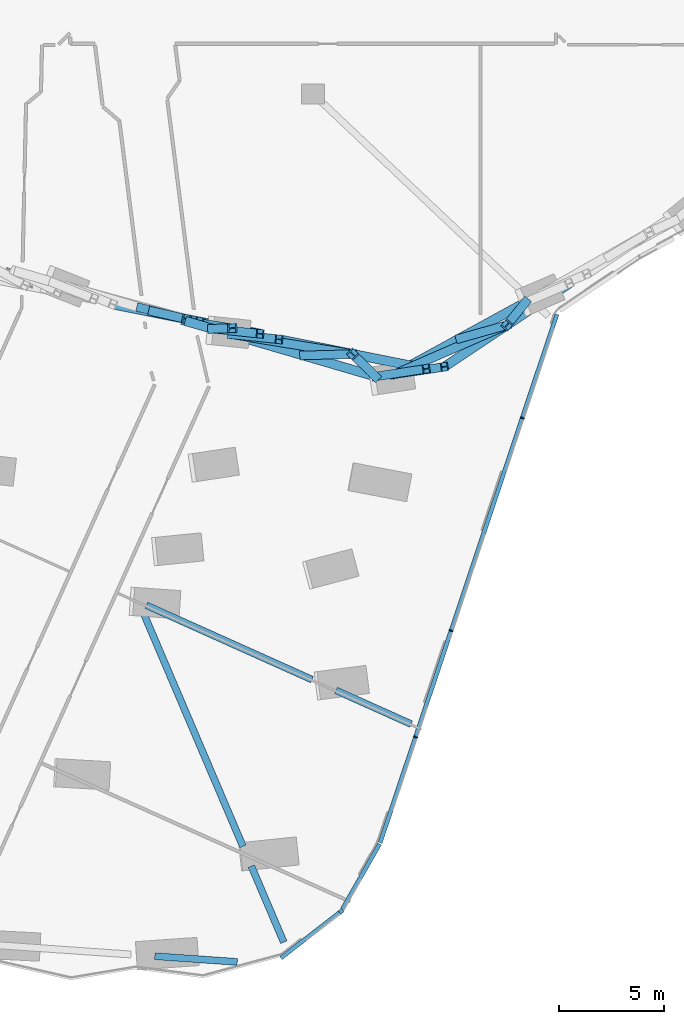
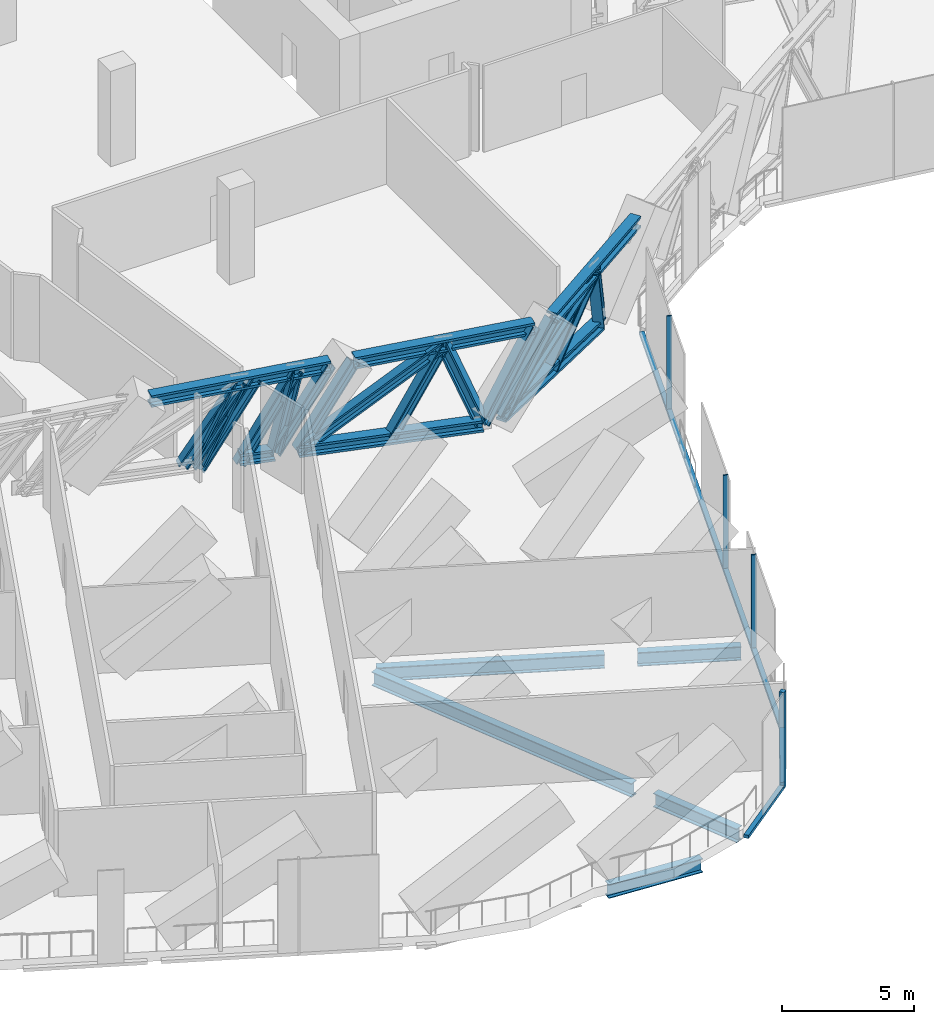
# One storey, part 5 of 39: 28 members, 5 beams, 3 elements without a shape of their own.
"""IFC4 building model written with IfcOpenShell, lengths in metres."""

import ifcopenshell
import ifcopenshell.guid

model = None  # the IFC model being written
_history = None  # IfcOwnerHistory: only IFC2X3 demands one
_inside = {}  # id of a spatial element -> (the spatial element, [elements in it])
_under = {}  # id of a project, library or spatial element -> (it, [spatial elements below it])
_declared = {}  # id of a project -> (the project, [libraries it declares])
_typed = {}  # id of a type object -> (the type object, [elements of that type])
_made_of = {}  # id of a material, layer set ... -> (it, [elements and type objects made of it])


def new_model(schema):
    """Start an empty IFC model of exactly this schema.

    Asked for "IFC4X3", IfcOpenShell would pick the latest addendum, in which some entities
    have other attributes; the version numbers below select the first issue.
    IFC2X3 requires an IfcOwnerHistory on every rooted entity: one is made here for all.
    """
    global model, _history
    if schema == "IFC4X3":
        model = ifcopenshell.file(schema_version=(4, 3, 0, 0))
    else:
        model = ifcopenshell.file(schema=schema)
    _inside.clear()
    _under.clear()
    _declared.clear()
    _typed.clear()
    _made_of.clear()
    _history = None
    if model.schema == "IFC2X3":
        org = make("IfcOrganization", Name="unknown")
        user = make(
            "IfcPersonAndOrganization",
            ThePerson=make("IfcPerson", FamilyName="unknown"),
            TheOrganization=org,
        )
        app = make(
            "IfcApplication",
            ApplicationDeveloper=org,
            Version="unknown",
            ApplicationFullName="unknown",
            ApplicationIdentifier="unknown",
        )
        _history = make(
            "IfcOwnerHistory",
            OwningUser=user,
            OwningApplication=app,
            ChangeAction="ADDED",
            CreationDate=0,
        )
    return model


def make(cls, **values):
    """One entity of the class cls with the attributes given. An attribute that is None is left unset."""
    return model.create_entity(
        cls, **{name: value for name, value in values.items() if value is not None}
    )


def rooted(cls, **values):
    """An entity with a GlobalId (a new one), such as an element, a storey or a relation."""
    return make(cls, GlobalId=ifcopenshell.guid.new(), OwnerHistory=_history, **values)


def si_unit(unit_type, name, prefix=None):
    """IfcSIUnit, for example si_unit("LENGTHUNIT", "METRE", prefix="MILLI")."""
    return make("IfcSIUnit", UnitType=unit_type, Prefix=prefix, Name=name)


def assignment(units):
    """IfcUnitAssignment: the units of a project."""
    return None if units is None else make("IfcUnitAssignment", Units=units)


def point(xyz):
    """IfcCartesianPoint."""
    return None if xyz is None else make("IfcCartesianPoint", Coordinates=xyz)


def direction(xyz):
    """IfcDirection."""
    return None if xyz is None else make("IfcDirection", DirectionRatios=xyz)


def frame(location, z_axis=None, x_axis=None):
    """IfcAxis2Placement3D, a coordinate frame: its origin and axes. An axis left out is left unset."""
    return make(
        "IfcAxis2Placement3D",
        Location=point(location),
        Axis=direction(z_axis),
        RefDirection=direction(x_axis),
    )


def frame_2d(location, x_axis=None):
    """IfcAxis2Placement2D, a coordinate frame in the plane: its origin and x axis."""
    return make(
        "IfcAxis2Placement2D", Location=point(location), RefDirection=direction(x_axis)
    )


def origin():
    """The frame at (0, 0, 0) with its axes left unset."""
    return frame((0.0, 0.0, 0.0))


def origin_2d():
    """The frame at (0, 0) in the plane with its x axis left unset."""
    return frame_2d((0.0, 0.0))


def place(relative_to, where):
    """IfcLocalPlacement: puts the frame where relative to a parent placement (None: the world)."""
    return make(
        "IfcLocalPlacement", PlacementRelTo=relative_to, RelativePlacement=where
    )


def context(
    kind, dimensions, precision=None, world=None, true_north=None, identifier=None
):
    """IfcGeometricRepresentationContext, for example the 3D "Model" context."""
    return make(
        "IfcGeometricRepresentationContext",
        ContextIdentifier=identifier,
        ContextType=kind,
        CoordinateSpaceDimension=dimensions,
        Precision=precision,
        WorldCoordinateSystem=world,
        TrueNorth=true_north,
    )


def subcontext(parent, identifier, kind, view, scale=None):
    """IfcGeometricRepresentationSubContext, for example "Body" below "Model"."""
    return make(
        "IfcGeometricRepresentationSubContext",
        ContextIdentifier=identifier,
        ContextType=kind,
        ParentContext=parent,
        TargetScale=scale,
        TargetView=view,
    )


def project(units=None, contexts=None):
    """IfcProject with its units and contexts."""
    return rooted(
        "IfcProject",
        Name="project",
        RepresentationContexts=contexts,
        UnitsInContext=assignment(units),
    )


def spatial(cls, under=None, at=None, **own):
    """A site, building, storey or space (cls), placed at a placement, below another one or the project."""
    s = rooted(cls, ObjectPlacement=at, **own)
    if under is not None:
        _under.setdefault(under.id(), (under, []))[1].append(s)
    return s


def profile(cls, at=None, kind="AREA", **sizes):
    """A parametric profile (cls). Its sizes go by their IFC names, for example OverallWidth=200.0."""
    return make(cls, ProfileType=kind, Position=at, **sizes)


def rectangle(**sizes):
    """IfcRectangleProfileDef."""
    return profile("IfcRectangleProfileDef", **sizes)


def i_section(**sizes):
    """IfcIShapeProfileDef."""
    return profile("IfcIShapeProfileDef", **sizes)


def extrude(swept, where, along, depth):
    """IfcExtrudedAreaSolid: the profile swept, set in the frame where, extruded along a direction by depth."""
    return make(
        "IfcExtrudedAreaSolid",
        SweptArea=swept,
        Position=where,
        ExtrudedDirection=direction(along),
        Depth=depth,
    )


def shape(context_of_items, identifier, shape_type, items):
    """IfcShapeRepresentation: the items that make up one representation, for example the "Body"."""
    return make(
        "IfcShapeRepresentation",
        ContextOfItems=context_of_items,
        RepresentationIdentifier=identifier,
        RepresentationType=shape_type,
        Items=items,
    )


def material(Name=None, Category=None):
    """IfcMaterial."""
    return make("IfcMaterial", Name=Name, Category=Category)


def material_profile(
    of_material, cross_section, Name=None, Category=None, Priority=None
):
    """IfcMaterialProfile: a cross section and its material."""
    return make(
        "IfcMaterialProfile",
        Name=Name,
        Material=of_material,
        Profile=cross_section,
        Priority=Priority,
        Category=Category,
    )


def profile_set(profiles, Name=None, composite=None):
    """IfcMaterialProfileSet."""
    return make(
        "IfcMaterialProfileSet",
        Name=Name,
        MaterialProfiles=profiles,
        CompositeProfile=composite,
    )


def made_of(thing, what):
    """Note that an element or type object is made of a material, layer set ...; save() writes the relation."""
    if what is not None:
        _made_of.setdefault(what.id(), (what, []))[1].append(thing)
    return thing


def type_object(cls, material=None, **own):
    """A type object (cls), such as IfcWallType, which elements share."""
    return made_of(rooted(cls, **own), material)


def element(
    cls,
    number,
    at=None,
    inside=None,
    cuts=None,
    type_object=None,
    material=None,
    context=None,
    identifier="Body",
    shape_type=None,
    held_by="IfcProductDefinitionShape",
    body=None,
    shapes=None,
    **own,
):
    """One element of the class cls, such as IfcWall. Its Tag is "e" and its number.

    at: its placement. inside: the storey or other place that contains it. cuts: it is an
    opening in that element (IfcRelVoidsElement). A single representation is given by context,
    identifier, shape_type and body (its items); several are given by shapes. held_by: the class
    of the entity that holds the representations. save() writes the other relations.
    """
    e = rooted(cls, Tag="e%d" % number, ObjectPlacement=at, **own)
    if body is not None:
        shapes = [shape(context, identifier, shape_type, body)]
    if shapes is not None:
        e.Representation = make(held_by, Representations=shapes)
    if inside is not None:
        _inside.setdefault(inside.id(), (inside, []))[1].append(e)
    if cuts is not None:
        rooted(
            "IfcRelVoidsElement", RelatingBuildingElement=cuts, RelatedOpeningElement=e
        )
    if type_object is not None:
        _typed.setdefault(type_object.id(), (type_object, []))[1].append(e)
    return made_of(e, material)


def aggregate(whole, parts):
    """IfcRelAggregates: a whole, such as a stair, and the parts it consists of."""
    return rooted("IfcRelAggregates", RelatingObject=whole, RelatedObjects=parts)


def save(model, path):
    """Write the relations noted so far, then the file.

    IfcRelAggregates (storeys below a building ...), IfcRelContainedInSpatialStructure (elements
    in a storey), IfcRelDefinesByType, IfcRelAssociatesMaterial and IfcRelDeclares: one each for
    every whole, place, type object, material and project.
    """
    for whole, parts in _under.values():
        aggregate(whole, parts)
    for where, things in _inside.values():
        rooted(
            "IfcRelContainedInSpatialStructure",
            RelatedElements=things,
            RelatingStructure=where,
        )
    for kind, things in _typed.values():
        rooted("IfcRelDefinesByType", RelatedObjects=things, RelatingType=kind)
    for what, things in _made_of.values():
        rooted("IfcRelAssociatesMaterial", RelatedObjects=things, RelatingMaterial=what)
    for by, libraries in _declared.values():
        rooted("IfcRelDeclares", RelatingContext=by, RelatedDefinitions=libraries)
    model.write(path)


model = new_model("IFC4")

# Units and contexts
model_context = context("Model", 3, precision=1e-05, world=origin(), true_north=direction((0.0, 1.0)))
body_context = subcontext(model_context, "Body", "Model", "MODEL_VIEW")
ifc_project = project(units=[si_unit("LENGTHUNIT", "METRE"), si_unit("AREAUNIT", "SQUARE_METRE"), si_unit("VOLUMEUNIT", "CUBIC_METRE"), si_unit("PLANEANGLEUNIT", "RADIAN"), si_unit("MASSUNIT", "GRAM", prefix="KILO")], contexts=[model_context])

# Site, building, storey
site_placement = place(None, origin())
site = spatial("IfcSite", under=ifc_project, at=site_placement, CompositionType="ELEMENT")
building_placement = place(site_placement, origin())
building = spatial("IfcBuilding", under=site, at=building_placement, Name="Orlundy Tower", CompositionType="ELEMENT")
storey_placement = place(building_placement, frame((0.0, 0.0, 141.199951171875)))
storey = spatial("IfcBuildingStorey", under=building, at=storey_placement, Name="L36", CompositionType="ELEMENT", Elevation=141.199951171875)

# Members
ifc_material_1 = material(Name="Steel ASTM A992 Gr 50", Category="steel")
ifc_material_profile_1 = material_profile(ifc_material_1, i_section(OverallWidth=0.4423828125, OverallDepth=0.531494140625, WebThickness=0.06591796875, FlangeThickness=0.105712890625, at=origin_2d()), Name="W14X605")
ifc_profile_set_1 = profile_set([ifc_material_profile_1], Name="Steel ASTM A992 Gr 50")
member_type_1 = type_object("IfcMemberType", Name="BELT TRUSS chord W14X605", PredefinedType="CHORD", material=ifc_profile_set_1)
member_1_placement = place(storey_placement, frame((-6.111572265625, -28.8349609375, 0.28466796875), z_axis=(0.959844868813, -0.280531331252, 0.0), x_axis=(0.280531331252, 0.959844868813, 0.0)))
element("IfcMember", 1, at=member_1_placement, inside=storey, type_object=member_type_1, Name="Belt truss bottom chord BT-052", PredefinedType="CHORD", context=body_context, shape_type="SweptSolid", body=[
    extrude(i_section(OverallWidth=0.4423828125, OverallDepth=0.531494140625, WebThickness=0.06591796875, FlangeThickness=0.105712890625, at=origin_2d()), origin(), (0.0, 0.0, 1.0), 1.3583984375),
])
member_2_placement = place(storey_placement, frame((-9.56494140625, -28.048828125, 3.71533203125), z_axis=(0.980618630054, -0.195926267739, 0.0), x_axis=(0.195926267739, 0.980618630054, 0.0)))
element("IfcMember", 2, at=member_2_placement, inside=storey, type_object=member_type_1, Name="Belt truss top chord BT-05", PredefinedType="CHORD", context=body_context, shape_type="SweptSolid", body=[
    extrude(i_section(OverallWidth=0.4423828125, OverallDepth=0.531494140625, WebThickness=0.06591796875, FlangeThickness=0.105712890625, at=origin_2d()), origin(), (0.0, 0.0, 1.0), 7.171142578125),
])
member_3_placement = place(storey_placement, frame((-3.900634765625, -29.4814453125, 0.28466796875), z_axis=(0.959780826264, -0.280750361595, 0.0), x_axis=(0.280750361595, 0.959780826264, 0.0)))
element("IfcMember", 3, at=member_3_placement, inside=storey, type_object=member_type_1, Name="Belt truss bottom chord BT-06", PredefinedType="CHORD", context=body_context, shape_type="SweptSolid", body=[
    extrude(i_section(OverallWidth=0.4423828125, OverallDepth=0.531494140625, WebThickness=0.06591796875, FlangeThickness=0.105712890625, at=origin_2d()), origin(), (0.0, 0.0, 1.0), 7.170654296875),
])
member_4_placement = place(storey_placement, frame((-1.62548828125, -29.71923828125, 3.71533203125), z_axis=(0.980617323118, -0.195932808893, 0.0), x_axis=(0.195932808893, 0.980617323118, 0.0)))
element("IfcMember", 4, at=member_4_placement, inside=storey, type_object=member_type_1, Name="Belt truss top chord BT-06", PredefinedType="CHORD", context=body_context, shape_type="SweptSolid", body=[
    extrude(i_section(OverallWidth=0.4423828125, OverallDepth=0.531494140625, WebThickness=0.06591796875, FlangeThickness=0.105712890625, at=origin_2d()), origin(), (0.0, 0.0, 1.0), 7.1708984375),
])
for number, where, z_axis, x_axis, name in (
    (5, (3.849609375, -31.400390625, 0.28466796875), (0.87710207265, 0.480304022628, 0.0), (-0.480304022628, 0.87710207265, 0.0), "Belt truss bottom chord BT-07"),
    (6, (6.2744140625, -31.030029296875, 3.71533203125), (0.832008393015, 0.554763043067, 0.0), (-0.554763043067, 0.832008393015, 0.0), "Belt truss top chord BT-07"),
):
    element("IfcMember", number, at=place(storey_placement, frame(where, z_axis=z_axis, x_axis=x_axis)), inside=storey, type_object=member_type_1, Name=name, PredefinedType="CHORD", context=body_context, shape_type="SweptSolid", body=[
        extrude(i_section(OverallWidth=0.4423828125, OverallDepth=0.531494140625, WebThickness=0.06591796875, FlangeThickness=0.105712890625, at=origin_2d()), origin(), (0.0, 0.0, 1.0), 7.171630859375),
    ])
ifc_material_2 = material(Name="Steel ASTM A992 Gr 50", Category="steel")
ifc_material_profile_2 = material_profile(ifc_material_2, i_section(OverallWidth=0.42431640625, OverallDepth=0.47412109375, WebThickness=0.0478515625, FlangeThickness=0.0771484375, at=origin_2d()), Name="W14X426")
ifc_profile_set_2 = profile_set([ifc_material_profile_2], Name="Steel ASTM A992 Gr 50")
member_type_2 = type_object("IfcMemberType", Name="BELT TRUSS diagonal W14X426", PredefinedType="BRACE", material=ifc_profile_set_2)
member_5_placement = place(storey_placement, frame((-6.048828125, -28.75146484375, 3.71533203125), z_axis=(-0.420368469079, 0.096119077167, -0.90224801092), x_axis=(-0.222901618307, -0.97484094526, 0.0)))
element("IfcMember", 7, at=member_5_placement, inside=storey, type_object=member_type_2, Name="Belt truss diagonal BT-05-1", PredefinedType="BRACE", context=body_context, shape_type="SweptSolid", body=[
    extrude(i_section(OverallWidth=0.42431640625, OverallDepth=0.47412109375, WebThickness=0.0478515625, FlangeThickness=0.0771484375, at=origin_2d()), origin(), (0.0, 0.0, 1.0), 3.80224609375),
])
member_6_placement = place(storey_placement, frame((-3.86474609375, -29.187744140625, 3.71533203125), z_axis=(-0.265001355647, -0.00795964714, -0.964215186316), x_axis=(0.030022710811, -0.999549216815, 0.0)))
element("IfcMember", 8, at=member_6_placement, inside=storey, type_object=member_type_2, Name="Belt truss diagonal BT-05-3", PredefinedType="BRACE", context=body_context, shape_type="SweptSolid", body=[
    extrude(i_section(OverallWidth=0.42431640625, OverallDepth=0.47412109375, WebThickness=0.0478515625, FlangeThickness=0.0771484375, at=origin_2d()), origin(), (0.0, 0.0, 1.0), 3.55810546875),
])
member_7_placement = place(storey_placement, frame((-3.900634765625, -29.4814453125, 0.28466796875), z_axis=(0.852087516657, -0.138338491848, 0.504786415854), x_axis=(0.160254167009, 0.987075783289, 0.0)))
element("IfcMember", 9, at=member_7_placement, inside=storey, type_object=member_type_2, Name="Belt truss diagonal BT-06-0", PredefinedType="BRACE", context=body_context, shape_type="SweptSolid", body=[
    extrude(i_section(OverallWidth=0.42431640625, OverallDepth=0.47412109375, WebThickness=0.0478515625, FlangeThickness=0.0771484375, at=origin_2d()), origin(), (0.0, 0.0, 1.0), 6.79638671875),
])
member_8_placement = place(storey_placement, frame((1.890380859375, -30.421630859375, 3.71533203125), z_axis=(0.290507511659, -0.285633224551, -0.913246432625), x_axis=(0.701099399955, 0.713063553537, 0.0)))
element("IfcMember", 10, at=member_8_placement, inside=storey, type_object=member_type_2, Name="Belt truss diagonal BT-06-1", PredefinedType="BRACE", context=body_context, shape_type="SweptSolid", body=[
    extrude(i_section(OverallWidth=0.42431640625, OverallDepth=0.47412109375, WebThickness=0.0478515625, FlangeThickness=0.0771484375, at=origin_2d()), origin(), (0.0, 0.0, 1.0), 3.756591796875),
])
member_9_placement = place(storey_placement, frame((3.849609375, -31.400390625, 0.28466796875), z_axis=(0.792365684692, 0.345712095637, 0.502632836823), x_axis=(-0.399898322673, 0.916559507901, 0.0)))
element("IfcMember", 11, at=member_9_placement, inside=storey, type_object=member_type_2, Name="Belt truss diagonal BT-07-0", PredefinedType="BRACE", context=body_context, shape_type="SweptSolid", body=[
    extrude(i_section(OverallWidth=0.42431640625, OverallDepth=0.47412109375, WebThickness=0.0478515625, FlangeThickness=0.0771484375, at=origin_2d()), origin(), (0.0, 0.0, 1.0), 6.825439453125),
])
member_10_placement = place(storey_placement, frame((9.2578125, -29.040771484375, 3.71533203125), z_axis=(0.238098793114, 0.292862174536, -0.926034940725), x_axis=(-0.775921698804, 0.630829229923, 0.0)))
element("IfcMember", 12, at=member_10_placement, inside=storey, type_object=member_type_2, Name="Belt truss diagonal BT-07-1", PredefinedType="BRACE", context=body_context, shape_type="SweptSolid", body=[
    extrude(i_section(OverallWidth=0.42431640625, OverallDepth=0.47412109375, WebThickness=0.0478515625, FlangeThickness=0.0771484375, at=origin_2d()), origin(), (0.0, 0.0, 1.0), 3.70458984375),
])
ifc_material_3 = material(Name="Steel ASTM A992 Gr 50", Category="steel")
ifc_material_profile_3 = material_profile(ifc_material_3, i_section(OverallWidth=0.412109375, OverallDepth=0.434814453125, WebThickness=0.035888671875, FlangeThickness=0.057373046875, at=origin_2d()), Name="W14X311")
ifc_profile_set_3 = profile_set([ifc_material_profile_3], Name="Steel ASTM A992 Gr 50")
member_type_3 = type_object("IfcMemberType", Name="BELT TRUSS post W14X311", PredefinedType="POST", material=ifc_profile_set_3)
member_11_placement = place(storey_placement, frame((-8.249267578125, -28.2099609375, 0.28466796875), z_axis=(0.535188491399, -0.131703991337, 0.83440238335), x_axis=(0.238959660541, 0.971029495244, 0.0)))
element("IfcMember", 13, at=member_11_placement, inside=storey, type_object=member_type_3, Name="Belt truss post BT-05-1", PredefinedType="POST", context=body_context, shape_type="SweptSolid", body=[
    extrude(i_section(OverallWidth=0.412109375, OverallDepth=0.434814453125, WebThickness=0.035888671875, FlangeThickness=0.057373046875, at=origin_2d()), origin(), (0.0, 0.0, 1.0), 4.111572265625),
])
member_12_placement = place(storey_placement, frame((-7.647216796875, -28.385986328125, 0.01904296875), z_axis=(0.510519172344, -0.112610383223, 0.852460601002), x_axis=(0.215402104171, 0.976525439258, 0.0)))
element("IfcMember", 14, at=member_12_placement, inside=storey, type_object=member_type_3, Name="Belt truss post BT-05-2", PredefinedType="POST", context=body_context, shape_type="SweptSolid", body=[
    extrude(i_section(OverallWidth=0.412109375, OverallDepth=0.434814453125, WebThickness=0.035888671875, FlangeThickness=0.057373046875, at=origin_2d()), origin(), (0.0, 0.0, 1.0), 4.3359375),
])
member_13_placement = place(storey_placement, frame((-6.111572265625, -28.8349609375, 0.01904296875), z_axis=(0.517706876127, -0.081287236336, 0.851687721891), x_axis=(0.155113619495, 0.987896636824, 0.0)))
element("IfcMember", 15, at=member_13_placement, inside=storey, type_object=member_type_3, Name="Belt truss post BT-05-3", PredefinedType="POST", context=body_context, shape_type="SweptSolid", body=[
    extrude(i_section(OverallWidth=0.412109375, OverallDepth=0.434814453125, WebThickness=0.035888671875, FlangeThickness=0.057373046875, at=origin_2d()), origin(), (0.0, 0.0, 1.0), 4.33984375),
])
for number, where, z_axis, x_axis, name in (
    (16, (-4.8076171875, -29.216064453125, 0.28466796875), (0.551725680303, -0.057671261281, 0.832029325995), (0.103962450215, 0.9945812229, 0.0), "Belt truss post BT-05-4"),
    (17, (-3.900634765625, -29.4814453125, 0.28466796875), (0.551766865204, -0.057669377262, 0.832002145063), (0.103951414805, 0.994582376357, 0.0), "Belt truss post BT-06-0"),
):
    element("IfcMember", number, at=place(storey_placement, frame(where, z_axis=z_axis, x_axis=x_axis)), inside=storey, type_object=member_type_3, Name=name, PredefinedType="POST", context=body_context, shape_type="SweptSolid", body=[
        extrude(i_section(OverallWidth=0.412109375, OverallDepth=0.434814453125, WebThickness=0.035888671875, FlangeThickness=0.057373046875, at=origin_2d()), origin(), (0.0, 0.0, 1.0), 4.123291015625),
    ])
member_14_placement = place(storey_placement, frame((-0.45947265625, -30.488037109375, 0.28466796875), z_axis=(0.565030646576, 0.015967619311, 0.82491539176), x_axis=(-0.028248462717, 0.99960093255, 0.0)))
element("IfcMember", 18, at=member_14_placement, inside=storey, type_object=member_type_3, Name="Belt truss post BT-06-1", PredefinedType="POST", context=body_context, shape_type="SweptSolid", body=[
    extrude(i_section(OverallWidth=0.412109375, OverallDepth=0.434814453125, WebThickness=0.035888671875, FlangeThickness=0.057373046875, at=origin_2d()), origin(), (0.0, 0.0, 1.0), 4.15869140625),
])
for number, where, z_axis, x_axis, name in (
    (19, (2.981689453125, -31.49462890625, 0.28466796875), (0.574955114645, 0.087817852287, 0.813458444522), (-0.150987575213, 0.988535660526, 0.0), "Belt truss post BT-06-2"),
    (20, (3.849609375, -31.400390625, 0.28466796875), (0.574955114645, 0.087817852287, 0.813458444522), (-0.150987575213, 0.988535660526, 0.0), "Belt truss post BT-07-0"),
):
    element("IfcMember", number, at=place(storey_placement, frame(where, z_axis=z_axis, x_axis=x_axis)), inside=storey, type_object=member_type_3, Name=name, PredefinedType="POST", context=body_context, shape_type="SweptSolid", body=[
        extrude(i_section(OverallWidth=0.412109375, OverallDepth=0.434814453125, WebThickness=0.035888671875, FlangeThickness=0.057373046875, at=origin_2d()), origin(), (0.0, 0.0, 1.0), 4.21728515625),
    ])
member_15_placement = place(storey_placement, frame((6.994873046875, -29.677978515625, 0.28466796875), z_axis=(0.544120738642, 0.153215571028, 0.824898545625), x_axis=(-0.27104329291, 0.962567157848, 0.0)))
element("IfcMember", 21, at=member_15_placement, inside=storey, type_object=member_type_3, Name="Belt truss post BT-07-1", PredefinedType="POST", context=body_context, shape_type="SweptSolid", body=[
    extrude(i_section(OverallWidth=0.412109375, OverallDepth=0.434814453125, WebThickness=0.035888671875, FlangeThickness=0.057373046875, at=origin_2d()), origin(), (0.0, 0.0, 1.0), 4.158935546875),
])

# Beams
ifc_material_4 = material(Name="Steel ASTM A992 Gr 50", Category="steel")
ifc_material_profile_4 = material_profile(ifc_material_4, i_section(OverallWidth=0.3291015625, OverallDepth=0.635009765625, WebThickness=0.017822265625, FlangeThickness=0.031005859375, at=origin_2d()), Name="W24X162")
ifc_profile_set_4 = profile_set([ifc_material_profile_4], Name="Steel ASTM A992 Gr 50")
beam_type = type_object("IfcBeamType", Name="CANTILEVER GIRDER beam W24X162", PredefinedType="BEAM", material=ifc_profile_set_4)
beam_1_placement = place(storey_placement, frame((4.68115234375, -48.0986328125, -0.767333984375), z_axis=(-0.912347119558, 0.40941755389, 0.0), x_axis=(-0.40941755389, -0.912347119558, 0.0)))
element("IfcBeam", 22, at=beam_1_placement, inside=storey, type_object=beam_type, Name="Cantilever girder C-B5-2 L36", PredefinedType="BEAM", context=body_context, shape_type="SweptSolid", body=[
    extrude(i_section(OverallWidth=0.3291015625, OverallDepth=0.635009765625, WebThickness=0.017822265625, FlangeThickness=0.031005859375, at=origin_2d()), origin(), (0.0, 0.0, 1.0), 3.9345703125),
])
beam_2_placement = place(storey_placement, frame((-0.0537109375, -45.97412109375, -0.767333984375), z_axis=(-0.912363965866, 0.409380011467, 0.0), x_axis=(-0.409380011467, -0.912363965866, 0.0)))
element("IfcBeam", 23, at=beam_2_placement, inside=storey, type_object=beam_type, Name="Back-span girder C-B5-2 L36", PredefinedType="BEAM", context=body_context, shape_type="SweptSolid", body=[
    extrude(i_section(OverallWidth=0.3291015625, OverallDepth=0.635009765625, WebThickness=0.017822265625, FlangeThickness=0.031005859375, at=origin_2d()), origin(), (0.0, 0.0, 1.0), 8.67236328125),
])
beam_3_placement = place(storey_placement, frame((-1.402099609375, -58.518310546875, -0.767333984375), z_axis=(-0.392046134736, 0.919945557214, 0.0), x_axis=(-0.919945557214, -0.392046134736, 0.0)))
element("IfcBeam", 24, at=beam_3_placement, inside=storey, type_object=beam_type, Name="Cantilever girder C-B5-3 L36", PredefinedType="BEAM", context=body_context, shape_type="SweptSolid", body=[
    extrude(i_section(OverallWidth=0.3291015625, OverallDepth=0.635009765625, WebThickness=0.017822265625, FlangeThickness=0.031005859375, at=origin_2d()), origin(), (0.0, 0.0, 1.0), 3.949951171875),
])
beam_4_placement = place(storey_placement, frame((-3.353271484375, -53.939697265625, -0.767333984375), z_axis=(-0.392073374755, 0.919933948068, 0.0), x_axis=(-0.919933948068, -0.392073374755, 0.0)))
element("IfcBeam", 25, at=beam_4_placement, inside=storey, type_object=beam_type, Name="Back-span girder C-B5-3 L36", PredefinedType="BEAM", context=body_context, shape_type="SweptSolid", body=[
    extrude(i_section(OverallWidth=0.3291015625, OverallDepth=0.635009765625, WebThickness=0.017822265625, FlangeThickness=0.031005859375, at=origin_2d()), origin(), (0.0, 0.0, 1.0), 12.29638671875),
])
beam_5_placement = place(storey_placement, frame((-3.62353515625, -59.461669921875, -0.767333984375), z_axis=(-0.997575300426, 0.069595402, 0.0), x_axis=(-0.069595402, -0.997575300426, 0.0)))
element("IfcBeam", 26, at=beam_5_placement, inside=storey, type_object=beam_type, Name="Cantilever girder C-B5-5 L36", PredefinedType="BEAM", context=body_context, shape_type="SweptSolid", body=[
    extrude(i_section(OverallWidth=0.3291015625, OverallDepth=0.635009765625, WebThickness=0.017822265625, FlangeThickness=0.031005859375, at=origin_2d()), origin(), (0.0, 0.0, 1.0), 3.949951171875),
])

# Curtain wall, member
ifc_material_5 = material(Name="Aluminium bronze anodised", Category="aluminium")
curtain_wall_type = type_object("IfcCurtainWallType", Name="CW4 wall", PredefinedType="NOTDEFINED", material=ifc_material_5)
curtain_wall_1_placement = place(storey_placement, origin())
curtain_wall_1 = element("IfcCurtainWall", 27, at=curtain_wall_1_placement, inside=storey, type_object=curtain_wall_type, Name="CW4 run 02", PredefinedType="NOTDEFINED")
ifc_material_6 = material(Name="Aluminium bronze anodised", Category="aluminium")
ifc_material_profile_5 = material_profile(ifc_material_6, rectangle(XDim=0.199951171875, YDim=0.199951171875, at=origin_2d()), Name="CW4 corner post 200x200")
ifc_profile_set_5 = profile_set([ifc_material_profile_5], Name="Aluminium bronze anodised")
member_type_4 = type_object("IfcMemberType", Name="CW4 corner post 200x200", PredefinedType="MULLION", material=ifc_profile_set_5)
member_16_placement = place(storey_placement, frame((1.3388671875, -57.046875, -0.449951171875), z_axis=(0.0, 0.0, 1.0), x_axis=(0.61231463548, -0.790614183516, 0.0)))
member_16 = element("IfcMember", 28, at=member_16_placement, type_object=member_type_4, Name="CW4 mullion 7", PredefinedType="MULLION", context=body_context, shape_type="SweptSolid", body=[
    extrude(rectangle(XDim=0.199951171875, YDim=0.199951171875, at=origin_2d()), origin(), (0.0, 0.0, 1.0), 4.449951171875),
])

# Curtain wall, members
curtain_wall_2_placement = place(storey_placement, origin())
curtain_wall_2 = element("IfcCurtainWall", 29, at=curtain_wall_2_placement, inside=storey, type_object=curtain_wall_type, Name="CW4 run 00", PredefinedType="NOTDEFINED")
ifc_material_7 = material(Name="Aluminium bronze anodised", Category="aluminium")
ifc_material_profile_6 = material_profile(ifc_material_7, rectangle(XDim=0.199951171875, YDim=0.06005859375, at=origin_2d()), Name="CW4 mullion 60x200")
ifc_profile_set_6 = profile_set([ifc_material_profile_6], Name="Aluminium bronze anodised")
member_type_5 = type_object("IfcMemberType", Name="CW4 mullion 60x200", PredefinedType="MULLION", material=ifc_profile_set_6)
member_17_placement = place(storey_placement, frame((9.9951171875, -33.4736328125, -0.449951171875), z_axis=(0.0, 0.0, 1.0), x_axis=(0.948320522025, -0.317314020344, 0.0)))
member_17 = element("IfcMember", 30, at=member_17_placement, type_object=member_type_5, Name="CW4 mullion 2", PredefinedType="MULLION", context=body_context, shape_type="SweptSolid", body=[
    extrude(rectangle(XDim=0.199951171875, YDim=0.06005859375, at=origin_2d()), origin(), (0.0, 0.0, 1.0), 4.449951171875),
])
member_18_placement = place(storey_placement, frame((6.595458984375, -43.6337890625, -0.449951171875), z_axis=(0.0, 0.0, 1.0), x_axis=(0.948320522025, -0.317314020344, 0.0)))
member_18 = element("IfcMember", 31, at=member_18_placement, type_object=member_type_5, Name="CW4 mullion 4", PredefinedType="MULLION", context=body_context, shape_type="SweptSolid", body=[
    extrude(rectangle(XDim=0.199951171875, YDim=0.06005859375, at=origin_2d()), origin(), (0.0, 0.0, 1.0), 4.449951171875),
])
member_19_placement = place(storey_placement, frame((4.895751953125, -48.713623046875, -0.449951171875), z_axis=(0.0, 0.0, 1.0), x_axis=(0.948320522025, -0.317314020344, 0.0)))
member_19 = element("IfcMember", 32, at=member_19_placement, type_object=member_type_5, Name="CW4 mullion 5", PredefinedType="MULLION", context=body_context, shape_type="SweptSolid", body=[
    extrude(rectangle(XDim=0.199951171875, YDim=0.06005859375, at=origin_2d()), origin(), (0.0, 0.0, 1.0), 4.449951171875),
])
ifc_material_8 = material(Name="Aluminium bronze anodised", Category="aluminium")
ifc_material_profile_7 = material_profile(ifc_material_8, rectangle(XDim=0.199951171875, YDim=0.14990234375, at=origin_2d()), Name="CW4 transom 200x150")
ifc_profile_set_7 = profile_set([ifc_material_profile_7], Name="Aluminium bronze anodised")
member_type_6 = type_object("IfcMemberType", Name="CW4 transom 200x150", PredefinedType="USERDEFINED", material=ifc_profile_set_7)
member_20_placement = place(storey_placement, frame((11.65234375, -28.520751953125, -0.375), z_axis=(-0.317311208985, -0.948321462719, 0.0), x_axis=(0.948321462719, -0.317311208985, 0.0)))
member_20 = element("IfcMember", 33, at=member_20_placement, type_object=member_type_6, Name="CW4 transom", ObjectType="TRANSOM", PredefinedType="USERDEFINED", context=body_context, shape_type="SweptSolid", body=[
    extrude(rectangle(XDim=0.199951171875, YDim=0.14990234375, at=origin_2d()), origin(), (0.0, 0.0, 1.0), 26.6298828125),
])
aggregate(curtain_wall_2, [member_17, member_18, member_19, member_20])

# Curtain wall, member
curtain_wall_3_placement = place(storey_placement, origin())
curtain_wall_3 = element("IfcCurtainWall", 34, at=curtain_wall_3_placement, inside=storey, type_object=curtain_wall_type, Name="CW4 run 01", PredefinedType="NOTDEFINED")
member_21_placement = place(storey_placement, frame((3.177734375, -53.829345703125, -0.375), z_axis=(-0.496197401831, -0.868209731814, 0.0), x_axis=(0.868209731814, -0.496197401831, 0.0)))
member_21 = element("IfcMember", 35, at=member_21_placement, type_object=member_type_6, Name="CW4 transom", ObjectType="TRANSOM", PredefinedType="USERDEFINED", context=body_context, shape_type="SweptSolid", body=[
    extrude(rectangle(XDim=0.199951171875, YDim=0.14990234375, at=origin_2d()), origin(), (0.0, 0.0, 1.0), 3.59765625),
])
aggregate(curtain_wall_3, [member_21])

# Member
member_22_placement = place(storey_placement, frame((1.260009765625, -57.108154296875, -0.375), z_axis=(-0.790632130259, -0.612291462134, 0.0), x_axis=(0.612291462134, -0.790632130259, 0.0)))
member_22 = element("IfcMember", 36, at=member_22_placement, type_object=member_type_6, Name="CW4 transom", ObjectType="TRANSOM", PredefinedType="USERDEFINED", context=body_context, shape_type="SweptSolid", body=[
    extrude(rectangle(XDim=0.199951171875, YDim=0.14990234375, at=origin_2d()), origin(), (0.0, 0.0, 1.0), 3.538818359375),
])

aggregate(curtain_wall_1, [member_16, member_22])

save(model, "model.ifc")
